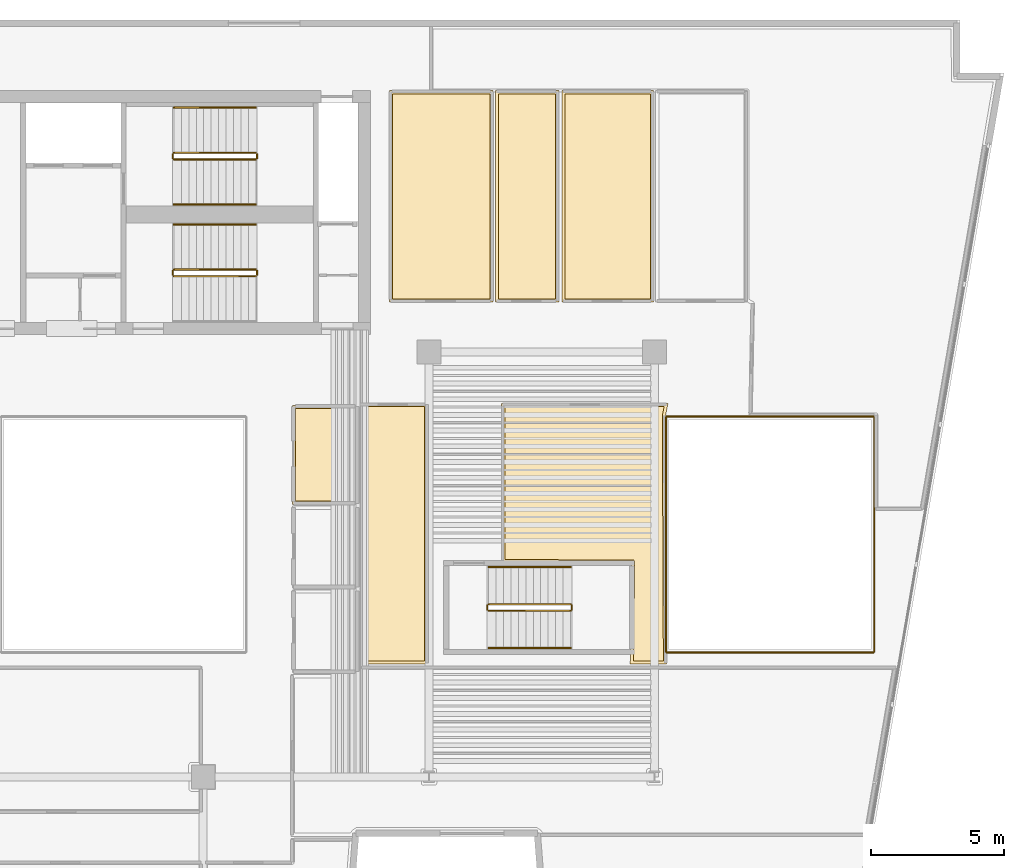
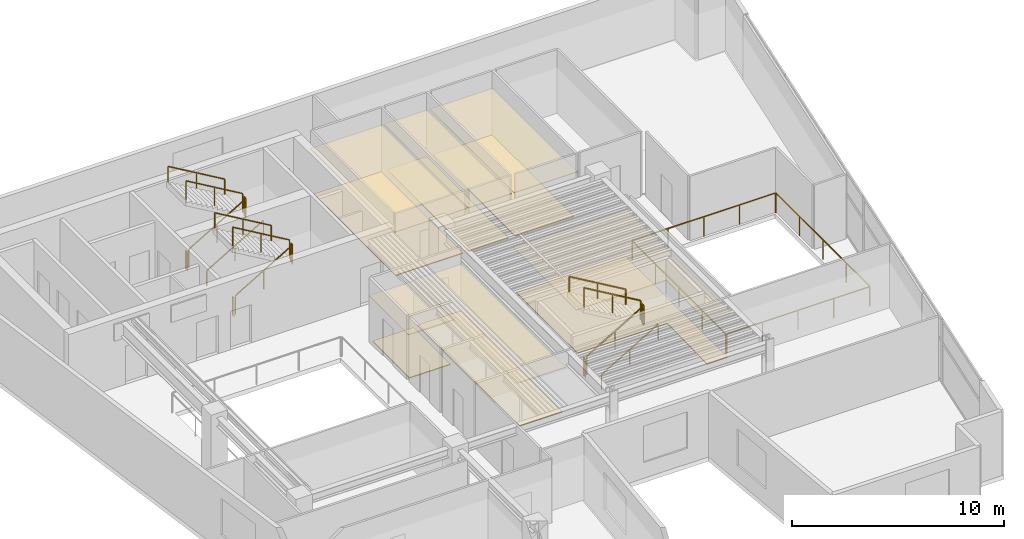
# One storey, part 8 of 9: 21 railings, 12 coverings.
"""IFC4 building model written with IfcOpenShell, lengths in metres."""

from ifc_helpers import new_model, si_unit, direction, frame, origin, origin_2d, place, context, subcontext, project, spatial, polyline, rectangle, outline, extrude, material, layer, layer_set, type_object, element, save


model = new_model("IFC4")

# Units and contexts
model_context = context("Model", 3, precision=1e-05, world=origin(), true_north=direction((0.0, 1.0)))
body_context = subcontext(model_context, "Body", "Model", "MODEL_VIEW")
ifc_project = project(units=[si_unit("LENGTHUNIT", "METRE"), si_unit("AREAUNIT", "SQUARE_METRE"), si_unit("VOLUMEUNIT", "CUBIC_METRE"), si_unit("PLANEANGLEUNIT", "RADIAN"), si_unit("MASSUNIT", "GRAM", prefix="KILO")], contexts=[model_context])

# Site, building, storey
site_placement = place(None, origin())
site = spatial("IfcSite", under=ifc_project, at=site_placement, CompositionType="ELEMENT")
building_placement = place(site_placement, origin())
building = spatial("IfcBuilding", under=site, at=building_placement, Name="Caeloran Harvest Quay", CompositionType="ELEMENT")
storey_placement = place(building_placement, frame((0.0, 0.0, 231.14990234375)))
storey = spatial("IfcBuildingStorey", under=building, at=storey_placement, Name="L55", CompositionType="ELEMENT", Elevation=231.14990234375)

# Coverings
ifc_material_1 = material(Name="Perforated Mineral-Fibre Acoustic Ceiling Tile", Category="ceiling")
ifc_layer_1 = layer(ifc_material_1, 0.0400390625, Name="Perforated Mineral-Fibre Acoustic Ceiling Tile")
ifc_layer_set_1 = layer_set([ifc_layer_1], Name="Perforated Mineral-Fibre Acoustic Ceiling Tile")
covering_type_1 = type_object("IfcCoveringType", Name="COV-CEILING-ACOUSTIC", PredefinedType="CEILING", material=ifc_layer_set_1)
covering_1_placement = place(storey_placement, frame((0.0, 0.0, 2.60009765625)))
element("IfcCovering", 1, at=covering_1_placement, inside=storey, type_object=covering_type_1, Name="L55 Crop Phenotyping West Laboratory Acoustic Ceiling", PredefinedType="CEILING", context=body_context, shape_type="SweptSolid", body=[
    extrude(outline(polyline([(27.919921875, 40.840087890625), (27.919921875, 32.8798828125), (24.010009765625, 32.8798828125), (24.010009765625, 40.840087890625), (27.919921875, 40.840087890625)])), origin(), (0.0, 0.0, 1.0), 0.0400390625),
])
covering_2_placement = place(storey_placement, frame((0.0, 0.0, 2.60009765625)))
element("IfcCovering", 2, at=covering_2_placement, inside=storey, type_object=covering_type_1, Name="L55 Genomics Sequencing East Studio Acoustic Ceiling", PredefinedType="CEILING", context=body_context, shape_type="SweptSolid", body=[
    extrude(outline(polyline([(30.389892578125, 40.840087890625), (30.389892578125, 32.8798828125), (28.0, 32.8798828125), (28.0, 40.840087890625), (30.389892578125, 40.840087890625)])), origin(), (0.0, 0.0, 1.0), 0.0400390625),
])
covering_3_placement = place(storey_placement, frame((0.0, 0.0, 2.60009765625)))
element("IfcCovering", 3, at=covering_3_placement, inside=storey, type_object=covering_type_1, Name="L55 Agri-Genomics West Boardroom Acoustic Ceiling", PredefinedType="CEILING", context=body_context, shape_type="SweptSolid", body=[
    extrude(outline(polyline([(33.9599609375, 40.840087890625), (33.9599609375, 32.8798828125), (30.510009765625, 32.8798828125), (30.510009765625, 40.840087890625), (33.9599609375, 40.840087890625)])), origin(), (0.0, 0.0, 1.0), 0.0400390625),
])
covering_4_placement = place(storey_placement, frame((0.0, 0.0, 2.60009765625)))
element("IfcCovering", 4, at=covering_4_placement, inside=storey, type_object=covering_type_1, Name="L55 Male Washroom WC Acoustic Ceiling", PredefinedType="CEILING", context=body_context, shape_type="SweptSolid", body=[
    extrude(outline(polyline([(22.840087890625, 28.989990234375), (22.840087890625, 25.260009765625), (20.360107421875, 25.260009765625), (20.360107421875, 28.989990234375), (22.840087890625, 28.989990234375)])), origin(), (0.0, 0.0, 1.0), 0.0400390625),
])
covering_5_placement = place(storey_placement, frame((0.0, 0.0, 2.60009765625)))
element("IfcCovering", 5, at=covering_5_placement, inside=storey, type_object=covering_type_1, Name="Hearing Preparation Lounge Acoustic Ceiling", PredefinedType="CEILING", context=body_context, shape_type="SweptSolid", body=[
    extrude(outline(polyline([(25.4599609375, 29.06005859375), (25.4599609375, 19.239990234375), (22.8701171875, 19.239990234375), (22.8701171875, 29.06005859375), (25.4599609375, 29.06005859375)])), origin(), (0.0, 0.0, 1.0), 0.0400390625),
])
covering_6_placement = place(storey_placement, frame((0.0, 0.0, 2.60009765625)))
element("IfcCovering", 6, at=covering_6_placement, inside=storey, type_object=covering_type_1, Name="Evidence Forensics Wet Laboratory Acoustic Ceiling", PredefinedType="CEILING", context=body_context, shape_type="SweptSolid", body=[
    extrude(outline(polyline([(28.239990234375, 29.06005859375), (34.500732421875, 29.06005859375), (34.409912109375, 28.59619140625), (34.448486328125, 19.239990234375), (33.080078125, 19.239990234375), (33.12939453125, 23.06005859375), (28.239990234375, 23.06005859375), (28.239990234375, 29.06005859375)])), origin(), (0.0, 0.0, 1.0), 0.0400390625),
])
ifc_material_2 = material(Name="Calcium-Sulphate Raised Access Floor and Terrazzo Finish", Category="flooring")
ifc_layer_2 = layer(ifc_material_2, 0.050048828125, Name="Calcium-Sulphate Raised Access Floor and Terrazzo Finish")
ifc_layer_set_2 = layer_set([ifc_layer_2], Name="Calcium-Sulphate Raised Access Floor and Terrazzo Finish")
covering_type_2 = type_object("IfcCoveringType", Name="COV-FLOOR-RAISED", PredefinedType="FLOORING", material=ifc_layer_set_2)
covering_7_placement = place(storey_placement, origin())
element("IfcCovering", 7, at=covering_7_placement, inside=storey, type_object=covering_type_2, Name="L55 Crop Phenotyping West Laboratory Raised Finish Flooring", PredefinedType="FLOORING", context=body_context, shape_type="SweptSolid", body=[
    extrude(outline(polyline([(27.800048828125, 40.719970703125), (27.800048828125, 33.0), (24.1298828125, 33.0), (24.1298828125, 40.719970703125), (27.800048828125, 40.719970703125)])), origin(), (0.0, 0.0, 1.0), 0.050048828125),
])
covering_8_placement = place(storey_placement, origin())
element("IfcCovering", 8, at=covering_8_placement, inside=storey, type_object=covering_type_2, Name="L55 Genomics Sequencing East Studio Raised Finish Flooring", PredefinedType="FLOORING", context=body_context, shape_type="SweptSolid", body=[
    extrude(outline(polyline([(30.27001953125, 40.719970703125), (30.27001953125, 33.0), (28.1201171875, 33.0), (28.1201171875, 40.719970703125), (30.27001953125, 40.719970703125)])), origin(), (0.0, 0.0, 1.0), 0.050048828125),
])
covering_9_placement = place(storey_placement, origin())
element("IfcCovering", 9, at=covering_9_placement, inside=storey, type_object=covering_type_2, Name="L55 Agri-Genomics West Boardroom Raised Finish Flooring", PredefinedType="FLOORING", context=body_context, shape_type="SweptSolid", body=[
    extrude(outline(polyline([(33.840087890625, 40.719970703125), (33.840087890625, 33.0), (30.6298828125, 33.0), (30.6298828125, 40.719970703125), (33.840087890625, 40.719970703125)])), origin(), (0.0, 0.0, 1.0), 0.050048828125),
])
covering_10_placement = place(storey_placement, origin())
element("IfcCovering", 10, at=covering_10_placement, inside=storey, type_object=covering_type_2, Name="L55 Male Washroom WC Raised Finish Flooring", PredefinedType="FLOORING", context=body_context, shape_type="SweptSolid", body=[
    extrude(outline(polyline([(22.719970703125, 28.8701171875), (22.719970703125, 25.3798828125), (20.47998046875, 25.3798828125), (20.47998046875, 28.8701171875), (22.719970703125, 28.8701171875)])), origin(), (0.0, 0.0, 1.0), 0.050048828125),
])
covering_11_placement = place(storey_placement, origin())
element("IfcCovering", 11, at=covering_11_placement, inside=storey, type_object=covering_type_2, Name="Hearing Preparation Lounge Raised Finish Flooring", PredefinedType="FLOORING", context=body_context, shape_type="SweptSolid", body=[
    extrude(outline(polyline([(25.340087890625, 28.93994140625), (25.340087890625, 19.360107421875), (22.989990234375, 19.360107421875), (22.989990234375, 28.93994140625), (25.340087890625, 28.93994140625)])), origin(), (0.0, 0.0, 1.0), 0.050048828125),
])
covering_12_placement = place(storey_placement, origin())
element("IfcCovering", 12, at=covering_12_placement, inside=storey, type_object=covering_type_2, Name="Evidence Forensics Wet Laboratory Raised Finish Flooring", PredefinedType="FLOORING", context=body_context, shape_type="SweptSolid", body=[
    extrude(outline(polyline([(28.360107421875, 28.93994140625), (34.35498046875, 28.93994140625), (34.2900390625, 28.599609375), (34.327880859375, 19.360107421875), (33.201904296875, 19.360107421875), (33.25, 23.09912109375), (33.21484375, 23.166259765625), (28.360107421875, 23.179931640625), (28.360107421875, 28.93994140625)])), origin(), (0.0, 0.0, 1.0), 0.050048828125),
])

# Railings
ifc_material_3 = material(Name="Powder-Coated Steel Post and Laminated Glass Guardrail", Category="steel")
ifc_layer_3 = layer(ifc_material_3, 0.06005859375, Name="Powder-Coated Steel Post and Laminated Glass Guardrail")
ifc_layer_set_3 = layer_set([ifc_layer_3], Name="Powder-Coated Steel Post and Laminated Glass Guardrail")
railing_type_1 = type_object("IfcRailingType", Name="GUARD-ATRIUM-1150", PredefinedType="GUARDRAIL", material=ifc_layer_set_3)
railing_1_placement = place(storey_placement, frame((34.4619140625, 19.679931640625, 0.0)))
element("IfcRailing", 13, at=railing_1_placement, inside=storey, type_object=railing_type_1, Name="L55 East Botanical Lightwell Guardrail Seg 1", PredefinedType="GUARDRAIL", context=body_context, shape_type="SweptSolid", body=[
    extrude(rectangle(XDim=0.048095703125, YDim=0.048095703125, at=origin_2d()), frame((0.0, 0.0, 1.1259765625), z_axis=(1.0, 0.0, 0.0), x_axis=(0.0, 1.0, 0.0)), (0.0, 0.0, 1.0), 7.776123046875),
    extrude(rectangle(XDim=0.0419921875, YDim=0.0419921875, at=origin_2d()), origin(), (0.0, 0.0, 1.0), 1.101806640625),
    extrude(rectangle(XDim=0.0419921875, YDim=0.0419921875, at=origin_2d()), frame((1.944091796875, 0.0, 0.0)), (0.0, 0.0, 1.0), 1.101806640625),
    extrude(rectangle(XDim=0.0419921875, YDim=0.0419921875, at=origin_2d()), frame((3.88818359375, 0.0, 0.0)), (0.0, 0.0, 1.0), 1.101806640625),
    extrude(rectangle(XDim=0.0419921875, YDim=0.0419921875, at=origin_2d()), frame((5.83203125, 0.0, 0.0)), (0.0, 0.0, 1.0), 1.101806640625),
    extrude(rectangle(XDim=0.0419921875, YDim=0.0419921875, at=origin_2d()), frame((7.776123046875, 0.0, 0.0)), (0.0, 0.0, 1.0), 1.101806640625),
])
railing_2_placement = place(storey_placement, frame((42.27001953125, 19.7119140625, 0.0)))
element("IfcRailing", 14, at=railing_2_placement, inside=storey, type_object=railing_type_1, Name="L55 East Botanical Lightwell Guardrail Seg 2", PredefinedType="GUARDRAIL", context=body_context, shape_type="SweptSolid", body=[
    extrude(rectangle(XDim=0.048095703125, YDim=0.048095703125, at=origin_2d()), frame((0.0, 0.0, 1.1259765625), z_axis=(0.0, 1.0, 0.0), x_axis=(-1.0, 0.0, 0.0)), (0.0, 0.0, 1.0), 8.826171875),
    extrude(rectangle(XDim=0.0419921875, YDim=0.0419921875, at=origin_2d()), origin(), (0.0, 0.0, 1.0), 1.101806640625),
    extrude(rectangle(XDim=0.0419921875, YDim=0.0419921875, at=origin_2d()), frame((0.0, 2.20654296875, 0.0)), (0.0, 0.0, 1.0), 1.101806640625),
    extrude(rectangle(XDim=0.0419921875, YDim=0.0419921875, at=origin_2d()), frame((0.0, 4.4130859375, 0.0)), (0.0, 0.0, 1.0), 1.101806640625),
    extrude(rectangle(XDim=0.0419921875, YDim=0.0419921875, at=origin_2d()), frame((0.0, 6.61962890625, 0.0)), (0.0, 0.0, 1.0), 1.101806640625),
    extrude(rectangle(XDim=0.0419921875, YDim=0.0419921875, at=origin_2d()), frame((0.0, 8.826171875, 0.0)), (0.0, 0.0, 1.0), 1.101806640625),
])
railing_3_placement = place(storey_placement, frame((42.238037109375, 28.570068359375, 0.0)))
element("IfcRailing", 15, at=railing_3_placement, inside=storey, type_object=railing_type_1, Name="L55 East Botanical Lightwell Guardrail Seg 3", PredefinedType="GUARDRAIL", context=body_context, shape_type="SweptSolid", body=[
    extrude(rectangle(XDim=0.048095703125, YDim=0.048095703125, at=origin_2d()), frame((0.0, 0.0, 1.1259765625), z_axis=(-1.0, 0.0, 0.0), x_axis=(0.0, -1.0, 0.0)), (0.0, 0.0, 1.0), 7.776123046875),
    extrude(rectangle(XDim=0.0419921875, YDim=0.0419921875, at=origin_2d()), origin(), (0.0, 0.0, 1.0), 1.101806640625),
    extrude(rectangle(XDim=0.0419921875, YDim=0.0419921875, at=origin_2d()), frame((-1.944091796875, 0.0, 0.0)), (0.0, 0.0, 1.0), 1.101806640625),
    extrude(rectangle(XDim=0.0419921875, YDim=0.0419921875, at=origin_2d()), frame((-3.88818359375, 0.0, 0.0)), (0.0, 0.0, 1.0), 1.101806640625),
    extrude(rectangle(XDim=0.0419921875, YDim=0.0419921875, at=origin_2d()), frame((-5.83203125, 0.0, 0.0)), (0.0, 0.0, 1.0), 1.101806640625),
    extrude(rectangle(XDim=0.0419921875, YDim=0.0419921875, at=origin_2d()), frame((-7.776123046875, 0.0, 0.0)), (0.0, 0.0, 1.0), 1.101806640625),
])
railing_4_placement = place(storey_placement, frame((34.429931640625, 28.5380859375, 0.0)))
element("IfcRailing", 16, at=railing_4_placement, inside=storey, type_object=railing_type_1, Name="L55 East Botanical Lightwell Guardrail Seg 4", PredefinedType="GUARDRAIL", context=body_context, shape_type="SweptSolid", body=[
    extrude(rectangle(XDim=0.048095703125, YDim=0.048095703125, at=origin_2d()), frame((0.0, 0.0, 1.1259765625), z_axis=(0.0, -1.0, 0.0), x_axis=(1.0, 0.0, 0.0)), (0.0, 0.0, 1.0), 8.826171875),
    extrude(rectangle(XDim=0.0419921875, YDim=0.0419921875, at=origin_2d()), origin(), (0.0, 0.0, 1.0), 1.101806640625),
    extrude(rectangle(XDim=0.0419921875, YDim=0.0419921875, at=origin_2d()), frame((0.0, -2.20654296875, 0.0)), (0.0, 0.0, 1.0), 1.101806640625),
    extrude(rectangle(XDim=0.0419921875, YDim=0.0419921875, at=origin_2d()), frame((0.0, -4.4130859375, 0.0)), (0.0, 0.0, 1.0), 1.101806640625),
    extrude(rectangle(XDim=0.0419921875, YDim=0.0419921875, at=origin_2d()), frame((0.0, -6.61962890625, 0.0)), (0.0, 0.0, 1.0), 1.101806640625),
    extrude(rectangle(XDim=0.0419921875, YDim=0.0419921875, at=origin_2d()), frame((0.0, -8.826171875, 0.0)), (0.0, 0.0, 1.0), 1.101806640625),
])
ifc_material_4 = material(Name="Painted Steel Baluster and Top-Rail Stair Guard", Category="steel")
ifc_layer_4 = layer(ifc_material_4, 0.050048828125, Name="Painted Steel Baluster and Top-Rail Stair Guard")
ifc_layer_set_4 = layer_set([ifc_layer_4], Name="Painted Steel Baluster and Top-Rail Stair Guard")
railing_type_2 = type_object("IfcRailingType", Name="STAIR-GUARD-1100", PredefinedType="GUARDRAIL", material=ifc_layer_set_4)
railing_5_placement = place(storey_placement, frame((15.89990234375, 38.25, 0.164794921875)))
element("IfcRailing", 17, at=railing_5_placement, inside=storey, type_object=railing_type_2, Name="L55 ST-C1 stair guard 1", PredefinedType="GUARDRAIL", context=body_context, shape_type="SweptSolid", body=[
    extrude(rectangle(XDim=0.048095703125, YDim=0.048095703125, at=origin_2d()), frame((0.0, 0.0, 1.076171875), z_axis=(0.862118610829, 0.0, 0.506706523406), x_axis=(0.0, 1.0, 0.0)), (0.0, 0.0, 1.0), 3.57275390625),
    extrude(rectangle(XDim=0.0419921875, YDim=0.0419921875, at=origin_2d()), origin(), (0.0, 0.0, 1.0), 1.052001953125),
    extrude(rectangle(XDim=0.0419921875, YDim=0.0419921875, at=origin_2d()), frame((1.5400390625, 0.0, 0.9052734375)), (0.0, 0.0, 1.0), 1.052001953125),
    extrude(rectangle(XDim=0.0419921875, YDim=0.0419921875, at=origin_2d()), frame((3.080078125, 0.0, 1.810302734375)), (0.0, 0.0, 1.0), 1.052001953125),
])
railing_6_placement = place(storey_placement, frame((19.030029296875, 38.300048828125, 1.97509765625)))
element("IfcRailing", 18, at=railing_6_placement, inside=storey, type_object=railing_type_2, Name="L55 ST-C1 stair guard 2", PredefinedType="GUARDRAIL", context=body_context, shape_type="SweptSolid", body=[
    extrude(rectangle(XDim=0.048095703125, YDim=0.048095703125, at=origin_2d()), frame((0.0, 0.0, 1.076171875), z_axis=(0.0, 1.0, 0.0), x_axis=(-1.0, 0.0, 0.0)), (0.0, 0.0, 1.0), 0.14990234375),
    extrude(rectangle(XDim=0.0419921875, YDim=0.0419921875, at=origin_2d()), origin(), (0.0, 0.0, 1.0), 1.052001953125),
    extrude(rectangle(XDim=0.0419921875, YDim=0.0419921875, at=origin_2d()), frame((0.0, 0.14990234375, 0.0)), (0.0, 0.0, 1.0), 1.052001953125),
])
railing_7_placement = place(storey_placement, frame((18.97998046875, 38.5, 2.1396484375)))
element("IfcRailing", 19, at=railing_7_placement, inside=storey, type_object=railing_type_2, Name="L55 ST-C1 stair guard 3", PredefinedType="GUARDRAIL", context=body_context, shape_type="SweptSolid", body=[
    extrude(rectangle(XDim=0.048095703125, YDim=0.048095703125, at=origin_2d()), frame((0.0, 0.0, 1.076171875), z_axis=(-0.862088758681, 0.0, 0.506757310905), x_axis=(0.0, -1.0, 0.0)), (0.0, 0.0, 1.0), 3.57275390625),
    extrude(rectangle(XDim=0.0419921875, YDim=0.0419921875, at=origin_2d()), origin(), (0.0, 0.0, 1.0), 1.052001953125),
    extrude(rectangle(XDim=0.0419921875, YDim=0.0419921875, at=origin_2d()), frame((-1.5400390625, 0.0, 0.9052734375)), (0.0, 0.0, 1.0), 1.052001953125),
    extrude(rectangle(XDim=0.0419921875, YDim=0.0419921875, at=origin_2d()), frame((-3.080078125, 0.0, 1.810546875)), (0.0, 0.0, 1.0), 1.052001953125),
])
railing_8_placement = place(storey_placement, frame((15.85009765625, 38.300048828125, 0.0)))
element("IfcRailing", 20, at=railing_8_placement, inside=storey, type_object=railing_type_2, Name="L55 ST-C1 stair guard 4", PredefinedType="GUARDRAIL", context=body_context, shape_type="SweptSolid", body=[
    extrude(rectangle(XDim=0.048095703125, YDim=0.048095703125, at=origin_2d()), frame((0.0, 0.0, 1.076171875), z_axis=(0.0, 1.0, 0.0), x_axis=(-1.0, 0.0, 0.0)), (0.0, 0.0, 1.0), 0.14990234375),
    extrude(rectangle(XDim=0.0419921875, YDim=0.0419921875, at=origin_2d()), origin(), (0.0, 0.0, 1.0), 1.052001953125),
    extrude(rectangle(XDim=0.0419921875, YDim=0.0419921875, at=origin_2d()), frame((0.0, 0.14990234375, 0.0)), (0.0, 0.0, 1.0), 1.052001953125),
])
railing_9_placement = place(storey_placement, frame((15.89990234375, 33.85009765625, 0.164794921875)))
element("IfcRailing", 21, at=railing_9_placement, inside=storey, type_object=railing_type_2, Name="L55 ST-C2 stair guard 1", PredefinedType="GUARDRAIL", context=body_context, shape_type="SweptSolid", body=[
    extrude(rectangle(XDim=0.048095703125, YDim=0.048095703125, at=origin_2d()), frame((0.0, 0.0, 1.076171875), z_axis=(0.862118610829, 0.0, 0.506706523406), x_axis=(0.0, 1.0, 0.0)), (0.0, 0.0, 1.0), 3.57275390625),
    extrude(rectangle(XDim=0.0419921875, YDim=0.0419921875, at=origin_2d()), origin(), (0.0, 0.0, 1.0), 1.052001953125),
    extrude(rectangle(XDim=0.0419921875, YDim=0.0419921875, at=origin_2d()), frame((1.5400390625, 0.0, 0.9052734375)), (0.0, 0.0, 1.0), 1.052001953125),
    extrude(rectangle(XDim=0.0419921875, YDim=0.0419921875, at=origin_2d()), frame((3.080078125, 0.0, 1.810302734375)), (0.0, 0.0, 1.0), 1.052001953125),
])
railing_10_placement = place(storey_placement, frame((19.030029296875, 33.89990234375, 1.97509765625)))
element("IfcRailing", 22, at=railing_10_placement, inside=storey, type_object=railing_type_2, Name="L55 ST-C2 stair guard 2", PredefinedType="GUARDRAIL", context=body_context, shape_type="SweptSolid", body=[
    extrude(rectangle(XDim=0.048095703125, YDim=0.048095703125, at=origin_2d()), frame((0.0, 0.0, 1.076171875), z_axis=(0.0, 1.0, 0.0), x_axis=(-1.0, 0.0, 0.0)), (0.0, 0.0, 1.0), 0.150146484375),
    extrude(rectangle(XDim=0.0419921875, YDim=0.0419921875, at=origin_2d()), origin(), (0.0, 0.0, 1.0), 1.052001953125),
    extrude(rectangle(XDim=0.0419921875, YDim=0.0419921875, at=origin_2d()), frame((0.0, 0.150146484375, 0.0)), (0.0, 0.0, 1.0), 1.052001953125),
])
railing_11_placement = place(storey_placement, frame((18.97998046875, 34.10009765625, 2.1396484375)))
element("IfcRailing", 23, at=railing_11_placement, inside=storey, type_object=railing_type_2, Name="L55 ST-C2 stair guard 3", PredefinedType="GUARDRAIL", context=body_context, shape_type="SweptSolid", body=[
    extrude(rectangle(XDim=0.048095703125, YDim=0.048095703125, at=origin_2d()), frame((0.0, 0.0, 1.076171875), z_axis=(-0.862088758681, 0.0, 0.506757310905), x_axis=(0.0, -1.0, 0.0)), (0.0, 0.0, 1.0), 3.57275390625),
    extrude(rectangle(XDim=0.0419921875, YDim=0.0419921875, at=origin_2d()), origin(), (0.0, 0.0, 1.0), 1.052001953125),
    extrude(rectangle(XDim=0.0419921875, YDim=0.0419921875, at=origin_2d()), frame((-1.5400390625, 0.0, 0.9052734375)), (0.0, 0.0, 1.0), 1.052001953125),
    extrude(rectangle(XDim=0.0419921875, YDim=0.0419921875, at=origin_2d()), frame((-3.080078125, 0.0, 1.810546875)), (0.0, 0.0, 1.0), 1.052001953125),
])
railing_12_placement = place(storey_placement, frame((15.85009765625, 33.89990234375, 0.0)))
element("IfcRailing", 24, at=railing_12_placement, inside=storey, type_object=railing_type_2, Name="L55 ST-C2 stair guard 4", PredefinedType="GUARDRAIL", context=body_context, shape_type="SweptSolid", body=[
    extrude(rectangle(XDim=0.048095703125, YDim=0.048095703125, at=origin_2d()), frame((0.0, 0.0, 1.076171875), z_axis=(0.0, 1.0, 0.0), x_axis=(-1.0, 0.0, 0.0)), (0.0, 0.0, 1.0), 0.150146484375),
    extrude(rectangle(XDim=0.0419921875, YDim=0.0419921875, at=origin_2d()), origin(), (0.0, 0.0, 1.0), 1.052001953125),
    extrude(rectangle(XDim=0.0419921875, YDim=0.0419921875, at=origin_2d()), frame((0.0, 0.150146484375, 0.0)), (0.0, 0.0, 1.0), 1.052001953125),
])
railing_13_placement = place(storey_placement, frame((27.75, 21.25, 0.164794921875)))
element("IfcRailing", 25, at=railing_13_placement, inside=storey, type_object=railing_type_2, Name="L55 ST-W1 stair guard 1", PredefinedType="GUARDRAIL", context=body_context, shape_type="SweptSolid", body=[
    extrude(rectangle(XDim=0.048095703125, YDim=0.048095703125, at=origin_2d()), frame((0.0, 0.0, 1.076171875), z_axis=(0.862118610829, 0.0, 0.506706523406), x_axis=(0.0, 1.0, 0.0)), (0.0, 0.0, 1.0), 3.57275390625),
    extrude(rectangle(XDim=0.0419921875, YDim=0.0419921875, at=origin_2d()), origin(), (0.0, 0.0, 1.0), 1.052001953125),
    extrude(rectangle(XDim=0.0419921875, YDim=0.0419921875, at=origin_2d()), frame((1.5400390625, 0.0, 0.9052734375)), (0.0, 0.0, 1.0), 1.052001953125),
    extrude(rectangle(XDim=0.0419921875, YDim=0.0419921875, at=origin_2d()), frame((3.080078125, 0.0, 1.810302734375)), (0.0, 0.0, 1.0), 1.052001953125),
])
railing_14_placement = place(storey_placement, frame((30.8798828125, 21.300048828125, 1.97509765625)))
element("IfcRailing", 26, at=railing_14_placement, inside=storey, type_object=railing_type_2, Name="L55 ST-W1 stair guard 2", PredefinedType="GUARDRAIL", context=body_context, shape_type="SweptSolid", body=[
    extrude(rectangle(XDim=0.048095703125, YDim=0.048095703125, at=origin_2d()), frame((0.0, 0.0, 1.076171875), z_axis=(0.0, 1.0, 0.0), x_axis=(-1.0, 0.0, 0.0)), (0.0, 0.0, 1.0), 0.14990234375),
    extrude(rectangle(XDim=0.0419921875, YDim=0.0419921875, at=origin_2d()), origin(), (0.0, 0.0, 1.0), 1.052001953125),
    extrude(rectangle(XDim=0.0419921875, YDim=0.0419921875, at=origin_2d()), frame((0.0, 0.14990234375, 0.0)), (0.0, 0.0, 1.0), 1.052001953125),
])
railing_15_placement = place(storey_placement, frame((30.830078125, 21.5, 2.1396484375)))
element("IfcRailing", 27, at=railing_15_placement, inside=storey, type_object=railing_type_2, Name="L55 ST-W1 stair guard 3", PredefinedType="GUARDRAIL", context=body_context, shape_type="SweptSolid", body=[
    extrude(rectangle(XDim=0.048095703125, YDim=0.048095703125, at=origin_2d()), frame((0.0, 0.0, 1.076171875), z_axis=(-0.862088758681, 0.0, 0.506757310905), x_axis=(0.0, -1.0, 0.0)), (0.0, 0.0, 1.0), 3.57275390625),
    extrude(rectangle(XDim=0.0419921875, YDim=0.0419921875, at=origin_2d()), origin(), (0.0, 0.0, 1.0), 1.052001953125),
    extrude(rectangle(XDim=0.0419921875, YDim=0.0419921875, at=origin_2d()), frame((-1.5400390625, 0.0, 0.9052734375)), (0.0, 0.0, 1.0), 1.052001953125),
    extrude(rectangle(XDim=0.0419921875, YDim=0.0419921875, at=origin_2d()), frame((-3.080078125, 0.0, 1.810546875)), (0.0, 0.0, 1.0), 1.052001953125),
])
railing_16_placement = place(storey_placement, frame((27.699951171875, 21.300048828125, 0.0)))
element("IfcRailing", 28, at=railing_16_placement, inside=storey, type_object=railing_type_2, Name="L55 ST-W1 stair guard 4", PredefinedType="GUARDRAIL", context=body_context, shape_type="SweptSolid", body=[
    extrude(rectangle(XDim=0.048095703125, YDim=0.048095703125, at=origin_2d()), frame((0.0, 0.0, 1.076171875), z_axis=(0.0, 1.0, 0.0), x_axis=(-1.0, 0.0, 0.0)), (0.0, 0.0, 1.0), 0.14990234375),
    extrude(rectangle(XDim=0.0419921875, YDim=0.0419921875, at=origin_2d()), origin(), (0.0, 0.0, 1.0), 1.052001953125),
    extrude(rectangle(XDim=0.0419921875, YDim=0.0419921875, at=origin_2d()), frame((0.0, 0.14990234375, 0.0)), (0.0, 0.0, 1.0), 1.052001953125),
])
ifc_material_5 = material(Name="Brushed Stainless Steel Grade 304", Category="steel")
ifc_layer_5 = layer(ifc_material_5, 0.050048828125, Name="Brushed Stainless Steel Grade 304")
ifc_layer_set_5 = layer_set([ifc_layer_5], Name="Brushed Stainless Steel Grade 304")
railing_type_3 = type_object("IfcRailingType", Name="STAIR-HANDRAIL-900", PredefinedType="HANDRAIL", material=ifc_layer_set_5)
railing_17_placement = place(storey_placement, frame((15.89990234375, 36.550048828125, 0.164794921875)))
element("IfcRailing", 29, at=railing_17_placement, inside=storey, type_object=railing_type_3, Name="L55 ST-C1 stair handrail 1", PredefinedType="HANDRAIL", context=body_context, shape_type="SweptSolid", body=[
    extrude(rectangle(XDim=0.048095703125, YDim=0.048095703125, at=origin_2d()), frame((0.0, 0.0, 0.8759765625), z_axis=(0.862118610829, 0.0, 0.506706523406), x_axis=(0.0, 1.0, 0.0)), (0.0, 0.0, 1.0), 3.57275390625),
    extrude(rectangle(XDim=0.0419921875, YDim=0.0419921875, at=origin_2d()), origin(), (0.0, 0.0, 1.0), 0.851806640625),
    extrude(rectangle(XDim=0.0419921875, YDim=0.0419921875, at=origin_2d()), frame((1.5400390625, 0.0, 0.9052734375)), (0.0, 0.0, 1.0), 0.851806640625),
    extrude(rectangle(XDim=0.0419921875, YDim=0.0419921875, at=origin_2d()), frame((3.080078125, 0.0, 1.810302734375)), (0.0, 0.0, 1.0), 0.851806640625),
])
for number, where, name in (
    (30, (18.97998046875, 40.199951171875, 2.1396484375), "L55 ST-C1 stair handrail 2"),
    (31, (18.97998046875, 35.800048828125, 2.1396484375), "L55 ST-C2 stair handrail 2"),
):
    element("IfcRailing", number, at=place(storey_placement, frame(where)), inside=storey, type_object=railing_type_3, Name=name, PredefinedType="HANDRAIL", context=body_context, shape_type="SweptSolid", body=[
        extrude(rectangle(XDim=0.048095703125, YDim=0.048095703125, at=origin_2d()), frame((0.0, 0.0, 0.8759765625), z_axis=(-0.862088758681, 0.0, 0.506757310905), x_axis=(0.0, -1.0, 0.0)), (0.0, 0.0, 1.0), 3.57275390625),
        extrude(rectangle(XDim=0.0419921875, YDim=0.0419921875, at=origin_2d()), origin(), (0.0, 0.0, 1.0), 0.851806640625),
        extrude(rectangle(XDim=0.0419921875, YDim=0.0419921875, at=origin_2d()), frame((-1.5400390625, 0.0, 0.9052734375)), (0.0, 0.0, 1.0), 0.851806640625),
        extrude(rectangle(XDim=0.0419921875, YDim=0.0419921875, at=origin_2d()), frame((-3.080078125, 0.0, 1.810546875)), (0.0, 0.0, 1.0), 0.851806640625),
    ])
railing_18_placement = place(storey_placement, frame((27.75, 19.85009765625, 0.164794921875)))
element("IfcRailing", 32, at=railing_18_placement, inside=storey, type_object=railing_type_3, Name="L55 ST-W1 stair handrail 1", PredefinedType="HANDRAIL", context=body_context, shape_type="SweptSolid", body=[
    extrude(rectangle(XDim=0.048095703125, YDim=0.048095703125, at=origin_2d()), frame((0.0, 0.0, 0.8759765625), z_axis=(0.862118610829, 0.0, 0.506706523406), x_axis=(0.0, 1.0, 0.0)), (0.0, 0.0, 1.0), 3.57275390625),
    extrude(rectangle(XDim=0.0419921875, YDim=0.0419921875, at=origin_2d()), origin(), (0.0, 0.0, 1.0), 0.851806640625),
    extrude(rectangle(XDim=0.0419921875, YDim=0.0419921875, at=origin_2d()), frame((1.5400390625, 0.0, 0.9052734375)), (0.0, 0.0, 1.0), 0.851806640625),
    extrude(rectangle(XDim=0.0419921875, YDim=0.0419921875, at=origin_2d()), frame((3.080078125, 0.0, 1.810302734375)), (0.0, 0.0, 1.0), 0.851806640625),
])
railing_19_placement = place(storey_placement, frame((30.830078125, 22.89990234375, 2.1396484375)))
element("IfcRailing", 33, at=railing_19_placement, inside=storey, type_object=railing_type_3, Name="L55 ST-W1 stair handrail 2", PredefinedType="HANDRAIL", context=body_context, shape_type="SweptSolid", body=[
    extrude(rectangle(XDim=0.048095703125, YDim=0.048095703125, at=origin_2d()), frame((0.0, 0.0, 0.8759765625), z_axis=(-0.862088758681, 0.0, 0.506757310905), x_axis=(0.0, -1.0, 0.0)), (0.0, 0.0, 1.0), 3.57275390625),
    extrude(rectangle(XDim=0.0419921875, YDim=0.0419921875, at=origin_2d()), origin(), (0.0, 0.0, 1.0), 0.851806640625),
    extrude(rectangle(XDim=0.0419921875, YDim=0.0419921875, at=origin_2d()), frame((-1.5400390625, 0.0, 0.9052734375)), (0.0, 0.0, 1.0), 0.851806640625),
    extrude(rectangle(XDim=0.0419921875, YDim=0.0419921875, at=origin_2d()), frame((-3.080078125, 0.0, 1.810546875)), (0.0, 0.0, 1.0), 0.851806640625),
])

save(model, "model.ifc")
